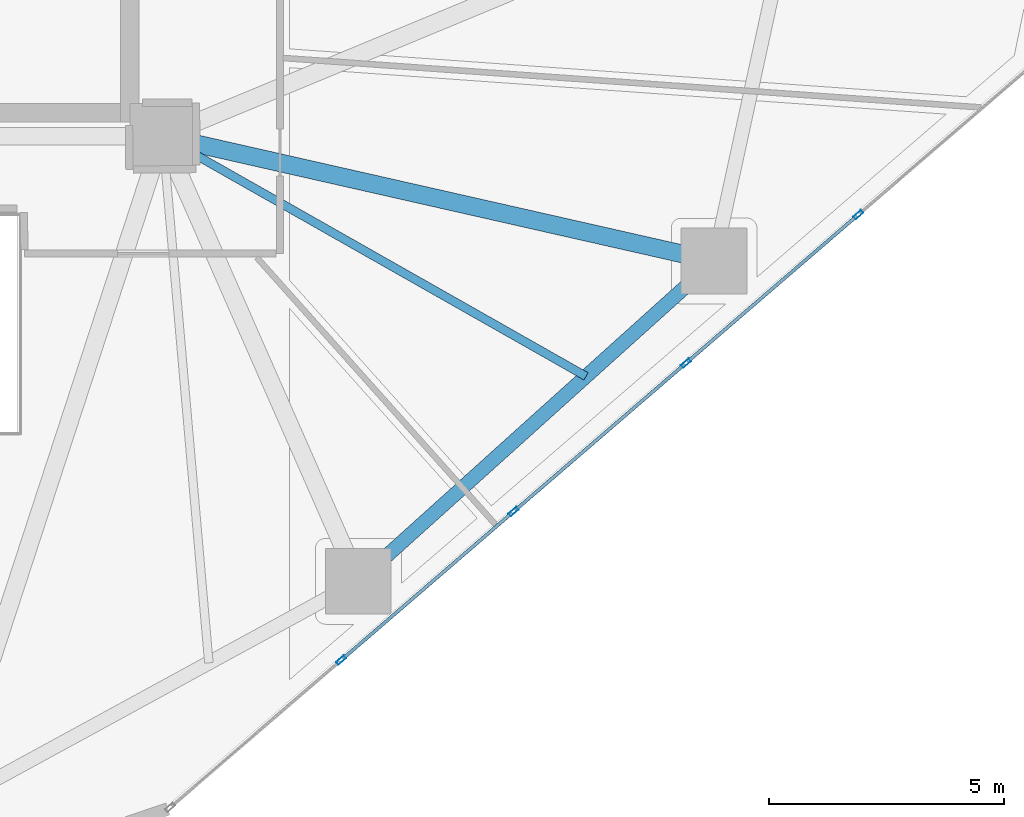
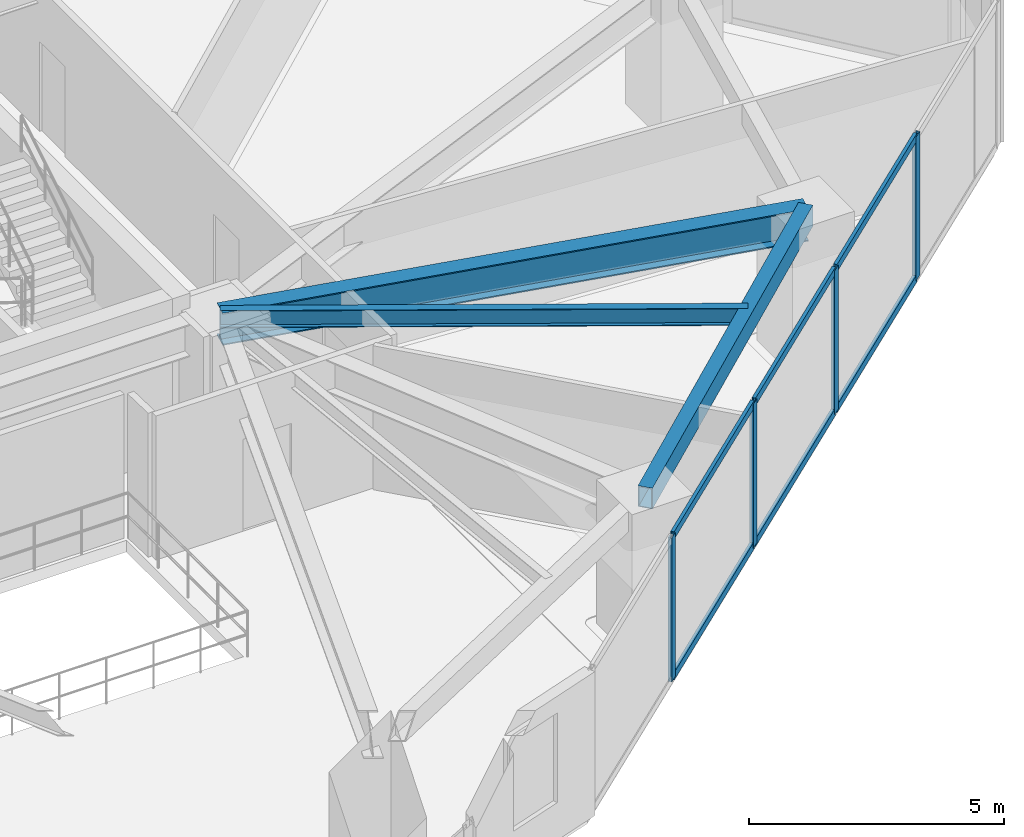
# One storey, part 10 of 24: 10 members, 3 beams, 1 element without a shape of its own.
"""IFC4 building model written with IfcOpenShell, lengths in metres."""

import ifcopenshell
import ifcopenshell.guid

model = None  # the IFC model being written
_history = None  # IfcOwnerHistory: only IFC2X3 demands one
_inside = {}  # id of a spatial element -> (the spatial element, [elements in it])
_under = {}  # id of a project, library or spatial element -> (it, [spatial elements below it])
_declared = {}  # id of a project -> (the project, [libraries it declares])
_typed = {}  # id of a type object -> (the type object, [elements of that type])
_made_of = {}  # id of a material, layer set ... -> (it, [elements and type objects made of it])


def new_model(schema):
    """Start an empty IFC model of exactly this schema.

    Asked for "IFC4X3", IfcOpenShell would pick the latest addendum, in which some entities
    have other attributes; the version numbers below select the first issue.
    IFC2X3 requires an IfcOwnerHistory on every rooted entity: one is made here for all.
    """
    global model, _history
    if schema == "IFC4X3":
        model = ifcopenshell.file(schema_version=(4, 3, 0, 0))
    else:
        model = ifcopenshell.file(schema=schema)
    _inside.clear()
    _under.clear()
    _declared.clear()
    _typed.clear()
    _made_of.clear()
    _history = None
    if model.schema == "IFC2X3":
        org = make("IfcOrganization", Name="unknown")
        user = make(
            "IfcPersonAndOrganization",
            ThePerson=make("IfcPerson", FamilyName="unknown"),
            TheOrganization=org,
        )
        app = make(
            "IfcApplication",
            ApplicationDeveloper=org,
            Version="unknown",
            ApplicationFullName="unknown",
            ApplicationIdentifier="unknown",
        )
        _history = make(
            "IfcOwnerHistory",
            OwningUser=user,
            OwningApplication=app,
            ChangeAction="ADDED",
            CreationDate=0,
        )
    return model


def make(cls, **values):
    """One entity of the class cls with the attributes given. An attribute that is None is left unset."""
    return model.create_entity(
        cls, **{name: value for name, value in values.items() if value is not None}
    )


def rooted(cls, **values):
    """An entity with a GlobalId (a new one), such as an element, a storey or a relation."""
    return make(cls, GlobalId=ifcopenshell.guid.new(), OwnerHistory=_history, **values)


def si_unit(unit_type, name, prefix=None):
    """IfcSIUnit, for example si_unit("LENGTHUNIT", "METRE", prefix="MILLI")."""
    return make("IfcSIUnit", UnitType=unit_type, Prefix=prefix, Name=name)


def assignment(units):
    """IfcUnitAssignment: the units of a project."""
    return None if units is None else make("IfcUnitAssignment", Units=units)


def point(xyz):
    """IfcCartesianPoint."""
    return None if xyz is None else make("IfcCartesianPoint", Coordinates=xyz)


def direction(xyz):
    """IfcDirection."""
    return None if xyz is None else make("IfcDirection", DirectionRatios=xyz)


def frame(location, z_axis=None, x_axis=None):
    """IfcAxis2Placement3D, a coordinate frame: its origin and axes. An axis left out is left unset."""
    return make(
        "IfcAxis2Placement3D",
        Location=point(location),
        Axis=direction(z_axis),
        RefDirection=direction(x_axis),
    )


def frame_2d(location, x_axis=None):
    """IfcAxis2Placement2D, a coordinate frame in the plane: its origin and x axis."""
    return make(
        "IfcAxis2Placement2D", Location=point(location), RefDirection=direction(x_axis)
    )


def origin():
    """The frame at (0, 0, 0) with its axes left unset."""
    return frame((0.0, 0.0, 0.0))


def origin_2d():
    """The frame at (0, 0) in the plane with its x axis left unset."""
    return frame_2d((0.0, 0.0))


def place(relative_to, where):
    """IfcLocalPlacement: puts the frame where relative to a parent placement (None: the world)."""
    return make(
        "IfcLocalPlacement", PlacementRelTo=relative_to, RelativePlacement=where
    )


def context(
    kind, dimensions, precision=None, world=None, true_north=None, identifier=None
):
    """IfcGeometricRepresentationContext, for example the 3D "Model" context."""
    return make(
        "IfcGeometricRepresentationContext",
        ContextIdentifier=identifier,
        ContextType=kind,
        CoordinateSpaceDimension=dimensions,
        Precision=precision,
        WorldCoordinateSystem=world,
        TrueNorth=true_north,
    )


def subcontext(parent, identifier, kind, view, scale=None):
    """IfcGeometricRepresentationSubContext, for example "Body" below "Model"."""
    return make(
        "IfcGeometricRepresentationSubContext",
        ContextIdentifier=identifier,
        ContextType=kind,
        ParentContext=parent,
        TargetScale=scale,
        TargetView=view,
    )


def project(units=None, contexts=None):
    """IfcProject with its units and contexts."""
    return rooted(
        "IfcProject",
        Name="project",
        RepresentationContexts=contexts,
        UnitsInContext=assignment(units),
    )


def spatial(cls, under=None, at=None, **own):
    """A site, building, storey or space (cls), placed at a placement, below another one or the project."""
    s = rooted(cls, ObjectPlacement=at, **own)
    if under is not None:
        _under.setdefault(under.id(), (under, []))[1].append(s)
    return s


def profile(cls, at=None, kind="AREA", **sizes):
    """A parametric profile (cls). Its sizes go by their IFC names, for example OverallWidth=200.0."""
    return make(cls, ProfileType=kind, Position=at, **sizes)


def hollow_rectangle(**sizes):
    """IfcRectangleHollowProfileDef."""
    return profile("IfcRectangleHollowProfileDef", **sizes)


def i_section(**sizes):
    """IfcIShapeProfileDef."""
    return profile("IfcIShapeProfileDef", **sizes)


def extrude(swept, where, along, depth):
    """IfcExtrudedAreaSolid: the profile swept, set in the frame where, extruded along a direction by depth."""
    return make(
        "IfcExtrudedAreaSolid",
        SweptArea=swept,
        Position=where,
        ExtrudedDirection=direction(along),
        Depth=depth,
    )


def shape(context_of_items, identifier, shape_type, items):
    """IfcShapeRepresentation: the items that make up one representation, for example the "Body"."""
    return make(
        "IfcShapeRepresentation",
        ContextOfItems=context_of_items,
        RepresentationIdentifier=identifier,
        RepresentationType=shape_type,
        Items=items,
    )


def source(mapping_origin, context_of_items, identifier, shape_type, items):
    """IfcRepresentationMap: a shape defined once, which mapped items show again and again."""
    return make(
        "IfcRepresentationMap",
        MappingOrigin=mapping_origin,
        MappedRepresentation=shape(context_of_items, identifier, shape_type, items),
    )


def transform(
    local_origin,
    x_axis=None,
    y_axis=None,
    z_axis=None,
    scale=None,
    scale2=None,
    scale3=None,
    uniform=True,
):
    """IfcCartesianTransformationOperator3D, or its non-uniform kind. x_axis, y_axis, z_axis: its Axis1, 2, 3."""
    if uniform:
        return make(
            "IfcCartesianTransformationOperator3D",
            Axis1=direction(x_axis),
            Axis2=direction(y_axis),
            LocalOrigin=point(local_origin),
            Scale=scale,
            Axis3=direction(z_axis),
        )
    return make(
        "IfcCartesianTransformationOperator3DnonUniform",
        Axis1=direction(x_axis),
        Axis2=direction(y_axis),
        LocalOrigin=point(local_origin),
        Scale=scale,
        Axis3=direction(z_axis),
        Scale2=scale2,
        Scale3=scale3,
    )


def mapped(mapping_source, mapping_target):
    """IfcMappedItem: shows the shape of a source again, moved by a transform."""
    return make(
        "IfcMappedItem", MappingSource=mapping_source, MappingTarget=mapping_target
    )


def material(Name=None, Category=None):
    """IfcMaterial."""
    return make("IfcMaterial", Name=Name, Category=Category)


def layer(
    of_material, thickness, ventilated=None, Name=None, Category=None, Priority=None
):
    """IfcMaterialLayer: one layer of a wall or slab, of a material (None: an air gap)."""
    return make(
        "IfcMaterialLayer",
        Material=of_material,
        LayerThickness=thickness,
        IsVentilated=ventilated,
        Name=Name,
        Category=Category,
        Priority=Priority,
    )


def layer_set(layers, Name=None):
    """IfcMaterialLayerSet."""
    return make("IfcMaterialLayerSet", MaterialLayers=layers, LayerSetName=Name)


def material_profile(
    of_material, cross_section, Name=None, Category=None, Priority=None
):
    """IfcMaterialProfile: a cross section and its material."""
    return make(
        "IfcMaterialProfile",
        Name=Name,
        Material=of_material,
        Profile=cross_section,
        Priority=Priority,
        Category=Category,
    )


def profile_set(profiles, Name=None, composite=None):
    """IfcMaterialProfileSet."""
    return make(
        "IfcMaterialProfileSet",
        Name=Name,
        MaterialProfiles=profiles,
        CompositeProfile=composite,
    )


def made_of(thing, what):
    """Note that an element or type object is made of a material, layer set ...; save() writes the relation."""
    if what is not None:
        _made_of.setdefault(what.id(), (what, []))[1].append(thing)
    return thing


def type_object(cls, material=None, **own):
    """A type object (cls), such as IfcWallType, which elements share."""
    return made_of(rooted(cls, **own), material)


def type_shapes(of_type, sources):
    """Give a type object the sources (RepresentationMaps) that its elements show as mapped items."""
    of_type.RepresentationMaps = sources


def element(
    cls,
    number,
    at=None,
    inside=None,
    cuts=None,
    type_object=None,
    material=None,
    context=None,
    identifier="Body",
    shape_type=None,
    held_by="IfcProductDefinitionShape",
    body=None,
    shapes=None,
    **own,
):
    """One element of the class cls, such as IfcWall. Its Tag is "e" and its number.

    at: its placement. inside: the storey or other place that contains it. cuts: it is an
    opening in that element (IfcRelVoidsElement). A single representation is given by context,
    identifier, shape_type and body (its items); several are given by shapes. held_by: the class
    of the entity that holds the representations. save() writes the other relations.
    """
    e = rooted(cls, Tag="e%d" % number, ObjectPlacement=at, **own)
    if body is not None:
        shapes = [shape(context, identifier, shape_type, body)]
    if shapes is not None:
        e.Representation = make(held_by, Representations=shapes)
    if inside is not None:
        _inside.setdefault(inside.id(), (inside, []))[1].append(e)
    if cuts is not None:
        rooted(
            "IfcRelVoidsElement", RelatingBuildingElement=cuts, RelatedOpeningElement=e
        )
    if type_object is not None:
        _typed.setdefault(type_object.id(), (type_object, []))[1].append(e)
    return made_of(e, material)


def aggregate(whole, parts):
    """IfcRelAggregates: a whole, such as a stair, and the parts it consists of."""
    return rooted("IfcRelAggregates", RelatingObject=whole, RelatedObjects=parts)


def save(model, path):
    """Write the relations noted so far, then the file.

    IfcRelAggregates (storeys below a building ...), IfcRelContainedInSpatialStructure (elements
    in a storey), IfcRelDefinesByType, IfcRelAssociatesMaterial and IfcRelDeclares: one each for
    every whole, place, type object, material and project.
    """
    for whole, parts in _under.values():
        aggregate(whole, parts)
    for where, things in _inside.values():
        rooted(
            "IfcRelContainedInSpatialStructure",
            RelatedElements=things,
            RelatingStructure=where,
        )
    for kind, things in _typed.values():
        rooted("IfcRelDefinesByType", RelatedObjects=things, RelatingType=kind)
    for what, things in _made_of.values():
        rooted("IfcRelAssociatesMaterial", RelatedObjects=things, RelatingMaterial=what)
    for by, libraries in _declared.values():
        rooted("IfcRelDeclares", RelatingContext=by, RelatedDefinitions=libraries)
    model.write(path)


model = new_model("IFC4")

# Units and contexts
model_context = context("Model", 3, precision=1e-05, world=origin(), true_north=direction((0.0, 1.0)))
body_context = subcontext(model_context, "Body", "Model", "MODEL_VIEW")
ifc_project = project(units=[si_unit("LENGTHUNIT", "METRE"), si_unit("AREAUNIT", "SQUARE_METRE"), si_unit("VOLUMEUNIT", "CUBIC_METRE"), si_unit("PLANEANGLEUNIT", "RADIAN"), si_unit("MASSUNIT", "GRAM", prefix="KILO")], contexts=[model_context])

# Site, building, storey
site_placement = place(None, origin())
site = spatial("IfcSite", under=ifc_project, at=site_placement, CompositionType="ELEMENT")
building_placement = place(site_placement, origin())
building = spatial("IfcBuilding", under=site, at=building_placement, Name="Talar Marvaseh", CompositionType="ELEMENT")
storey_placement = place(building_placement, frame((0.0, 0.0, 81.0)))
storey = spatial("IfcBuildingStorey", under=building, at=storey_placement, Name="L20", CompositionType="ELEMENT", Elevation=81.0)

# Beams
ifc_material_1 = material(Name="Steel S355", Category="steel")
ifc_material_profile_1 = material_profile(ifc_material_1, hollow_rectangle(XDim=0.300048828125, YDim=0.5, WallThickness=0.02001953125, at=origin_2d()), Name="RHS500x300x20")
ifc_profile_set_1 = profile_set([ifc_material_profile_1], Name="Steel S355")
beam_type_1 = type_object("IfcBeamType", Name="Zone 1 Perimeter Spandrel Beam RHS500x300x20", PredefinedType="SPANDREL", material=ifc_profile_set_1)
beam_1_placement = place(storey_placement, frame((45.0439453125, 22.840087890625, 3.199951171875), z_axis=(-0.743257224494, -0.669005753516, 0.0), x_axis=(0.669005753516, -0.743257224494, 0.0)))
element("IfcBeam", 1, at=beam_1_placement, inside=storey, type_object=beam_type_1, Name="L20 Zone 1 Perimeter Spandrel Beam RHS500x300x20", PredefinedType="SPANDREL", context=body_context, shape_type="SweptSolid", body=[
    extrude(hollow_rectangle(XDim=0.300048828125, YDim=0.5, WallThickness=0.02001953125, at=origin_2d()), origin(), (0.0, 0.0, 1.0), 10.19287109375),
])
ifc_material_profile_2 = material_profile(ifc_material_1, i_section(OverallWidth=0.381103515625, OverallDepth=0.77294921875, WebThickness=0.0166015625, FlangeThickness=0.027099609375, at=origin_2d()), Name="W760x257")
ifc_profile_set_2 = profile_set([ifc_material_profile_2], Name="Steel S355")
beam_type_2 = type_object("IfcBeamType", Name="Zone 1 Radial Floor Girder W760x257", PredefinedType="BEAM", material=ifc_profile_set_2)
beam_2_placement = place(storey_placement, frame((45.0439453125, 22.840087890625, 3.0634765625), z_axis=(-0.975296900374, 0.220898067263, 0.0), x_axis=(-0.220898067263, -0.975296900374, 0.0)))
element("IfcBeam", 2, at=beam_2_placement, inside=storey, type_object=beam_type_2, Name="L20 Zone 1 Radial Floor Girder W760x257", PredefinedType="BEAM", context=body_context, shape_type="SweptSolid", body=[
    extrude(i_section(OverallWidth=0.381103515625, OverallDepth=0.77294921875, WebThickness=0.0166015625, FlangeThickness=0.027099609375, at=origin_2d()), origin(), (0.0, 0.0, 1.0), 12.041259765625),
])
ifc_material_profile_3 = material_profile(ifc_material_1, i_section(OverallWidth=0.179931640625, OverallDepth=0.4130859375, WebThickness=0.009765625, FlangeThickness=0.01611328125, at=origin_2d()), Name="W410x75")
ifc_profile_set_3 = profile_set([ifc_material_profile_3], Name="Steel S355")
beam_type_3 = type_object("IfcBeamType", Name="Zone 1 Secondary Floor Joist W410x75", PredefinedType="JOIST", material=ifc_profile_set_3)
beam_3_placement = place(storey_placement, frame((42.316650390625, 20.38525390625, 3.243408203125), z_axis=(-0.869801202402, 0.493402339172, 0.0), x_axis=(-0.493402339172, -0.869801202402, 0.0)))
element("IfcBeam", 3, at=beam_3_placement, inside=storey, type_object=beam_type_3, Name="L20 Zone 1 Secondary Floor Joist W410x75", PredefinedType="JOIST", context=body_context, shape_type="SweptSolid", body=[
    extrude(i_section(OverallWidth=0.179931640625, OverallDepth=0.4130859375, WebThickness=0.009765625, FlangeThickness=0.01611328125, at=origin_2d()), origin(), (0.0, 0.0, 1.0), 10.3662109375),
])

# Curtain wall, members
ifc_material_2 = material(Name="Architectural Aluminium", Category="aluminium")
ifc_layer = layer(ifc_material_2, 0.219970703125)
ifc_layer_set = layer_set([ifc_layer], Name="Architectural Aluminium")
curtain_wall_type = type_object("IfcCurtainWallType", Name="Unitised Low-E Museum Curtain Wall Z1", PredefinedType="NOTDEFINED", material=ifc_layer_set)
curtain_wall_placement = place(storey_placement, origin())
curtain_wall = element("IfcCurtainWall", 4, at=curtain_wall_placement, inside=storey, type_object=curtain_wall_type, Name="L20 Unitised Low-E Museum Curtain Wall Z1", PredefinedType="NOTDEFINED")
ifc_material_profile_4 = material_profile(ifc_material_2, hollow_rectangle(XDim=0.074951171875, YDim=0.179931640625, WallThickness=0.0048828125, at=origin_2d()), Name="RHS180x75x5")
ifc_profile_set_4 = profile_set([ifc_material_profile_4], Name="Architectural Aluminium")
member_type_1 = type_object("IfcMemberType", Name="Unitised Curtain Wall Transom RHS180x75x5", PredefinedType="USERDEFINED", material=ifc_profile_set_4)
shared_shape_1 = source(origin(), body_context, "Body", "SweptSolid", [
    extrude(hollow_rectangle(XDim=0.074951171875, YDim=0.179931640625, WallThickness=0.0048828125, at=origin_2d()), origin(), (0.0, 0.0, 1.0), 4.765380859375),
])
type_shapes(member_type_1, [shared_shape_1])
member_1_placement = place(storey_placement, frame((48.084716796875, 23.8037109375, 0.03759765625), z_axis=(-0.757666760816, -0.652641616474, 0.0), x_axis=(0.652641616474, -0.757666760816, 0.0)))
member_1 = element("IfcMember", 5, at=member_1_placement, type_object=member_type_1, Name="CW-Z1 transom 2.1", ObjectType="TRANSOM", PredefinedType="USERDEFINED", context=body_context, shape_type="MappedRepresentation", body=[
    mapped(shared_shape_1, transform((0.0, 0.0, 0.0), x_axis=(1.0, 0.0, 0.0), y_axis=(0.0, 1.0, 0.0), z_axis=(0.0, 0.0, 1.0), scale=1.0)),
])
member_2_placement = place(storey_placement, frame((48.084716796875, 23.8037109375, 3.41259765625), z_axis=(-0.757666760816, -0.652641616474, 0.0), x_axis=(0.652641616474, -0.757666760816, 0.0)))
member_2 = element("IfcMember", 6, at=member_2_placement, type_object=member_type_1, Name="CW-Z1 transom 2.2", ObjectType="TRANSOM", PredefinedType="USERDEFINED", context=body_context, shape_type="MappedRepresentation", body=[
    mapped(shared_shape_1, transform((0.0, 0.0, 0.0), x_axis=(1.0, 0.0, 0.0), y_axis=(0.0, 1.0, 0.0), z_axis=(0.0, 0.0, 1.0), scale=1.0)),
])
member_3_placement = place(storey_placement, frame((44.41357421875, 20.641357421875, 0.03759765625), z_axis=(-0.757666760816, -0.652641616474, 0.0), x_axis=(0.652641616474, -0.757666760816, 0.0)))
member_3 = element("IfcMember", 7, at=member_3_placement, type_object=member_type_1, Name="CW-Z1 transom 3.1", ObjectType="TRANSOM", PredefinedType="USERDEFINED", context=body_context, shape_type="MappedRepresentation", body=[
    mapped(shared_shape_1, transform((0.0, 0.0, 0.0), x_axis=(1.0, 0.0, 0.0), y_axis=(0.0, 1.0, 0.0), z_axis=(0.0, 0.0, 1.0), scale=1.0)),
])
member_4_placement = place(storey_placement, frame((44.41357421875, 20.641357421875, 3.41259765625), z_axis=(-0.757666760816, -0.652641616474, 0.0), x_axis=(0.652641616474, -0.757666760816, 0.0)))
member_4 = element("IfcMember", 8, at=member_4_placement, type_object=member_type_1, Name="CW-Z1 transom 3.2", ObjectType="TRANSOM", PredefinedType="USERDEFINED", context=body_context, shape_type="MappedRepresentation", body=[
    mapped(shared_shape_1, transform((0.0, 0.0, 0.0), x_axis=(1.0, 0.0, 0.0), y_axis=(0.0, 1.0, 0.0), z_axis=(0.0, 0.0, 1.0), scale=1.0)),
])
member_5_placement = place(storey_placement, frame((40.742431640625, 17.479248046875, 0.03759765625), z_axis=(-0.757666760816, -0.652641616474, 0.0), x_axis=(0.652641616474, -0.757666760816, 0.0)))
member_5 = element("IfcMember", 9, at=member_5_placement, type_object=member_type_1, Name="CW-Z1 transom 4.1", ObjectType="TRANSOM", PredefinedType="USERDEFINED", context=body_context, shape_type="MappedRepresentation", body=[
    mapped(shared_shape_1, transform((0.0, 0.0, 0.0), x_axis=(1.0, 0.0, 0.0), y_axis=(0.0, 1.0, 0.0), z_axis=(0.0, 0.0, 1.0), scale=1.0)),
])
member_6_placement = place(storey_placement, frame((40.742431640625, 17.479248046875, 3.41259765625), z_axis=(-0.757666760816, -0.652641616474, 0.0), x_axis=(0.652641616474, -0.757666760816, 0.0)))
member_6 = element("IfcMember", 10, at=member_6_placement, type_object=member_type_1, Name="CW-Z1 transom 4.2", ObjectType="TRANSOM", PredefinedType="USERDEFINED", context=body_context, shape_type="MappedRepresentation", body=[
    mapped(shared_shape_1, transform((0.0, 0.0, 0.0), x_axis=(1.0, 0.0, 0.0), y_axis=(0.0, 1.0, 0.0), z_axis=(0.0, 0.0, 1.0), scale=1.0)),
])
ifc_material_profile_5 = material_profile(ifc_material_2, hollow_rectangle(XDim=0.080078125, YDim=0.219970703125, WallThickness=0.0048828125, at=origin_2d()), Name="RHS220x80x5")
ifc_profile_set_5 = profile_set([ifc_material_profile_5], Name="Architectural Aluminium")
member_type_2 = type_object("IfcMemberType", Name="Unitised Curtain Wall Heavy Mullion RHS220x80x5", PredefinedType="MULLION", material=ifc_profile_set_5)
shared_shape_2 = source(origin(), body_context, "Body", "SweptSolid", [
    extrude(hollow_rectangle(XDim=0.080078125, YDim=0.219970703125, WallThickness=0.0048828125, at=origin_2d()), origin(), (0.0, 0.0, 1.0), 3.449951171875),
])
type_shapes(member_type_2, [shared_shape_2])
member_7_placement = place(storey_placement, frame((48.114990234375, 23.829833984375, 0.0), z_axis=(0.0, 0.0, 1.0), x_axis=(0.652644071563, -0.757664646036, 0.0)))
member_7 = element("IfcMember", 11, at=member_7_placement, type_object=member_type_2, Name="CW-Z1 mullion 2", PredefinedType="MULLION", context=body_context, shape_type="MappedRepresentation", body=[
    mapped(shared_shape_2, transform((0.0, 0.0, 0.0), x_axis=(1.0, 0.0, 0.0), y_axis=(0.0, 1.0, 0.0), z_axis=(0.0, 0.0, 1.0), scale=1.0)),
])
member_8_placement = place(storey_placement, frame((44.44384765625, 20.66748046875, 0.0), z_axis=(0.0, 0.0, 1.0), x_axis=(0.652644071563, -0.757664646036, 0.0)))
member_8 = element("IfcMember", 12, at=member_8_placement, type_object=member_type_2, Name="CW-Z1 mullion 3", PredefinedType="MULLION", context=body_context, shape_type="MappedRepresentation", body=[
    mapped(shared_shape_2, transform((0.0, 0.0, 0.0), x_axis=(1.0, 0.0, 0.0), y_axis=(0.0, 1.0, 0.0), z_axis=(0.0, 0.0, 1.0), scale=1.0)),
])
member_9_placement = place(storey_placement, frame((40.772705078125, 17.50537109375, 0.0), z_axis=(0.0, 0.0, 1.0), x_axis=(0.652644071563, -0.757664646036, 0.0)))
member_9 = element("IfcMember", 13, at=member_9_placement, type_object=member_type_2, Name="CW-Z1 mullion 4", PredefinedType="MULLION", context=body_context, shape_type="MappedRepresentation", body=[
    mapped(shared_shape_2, transform((0.0, 0.0, 0.0), x_axis=(1.0, 0.0, 0.0), y_axis=(0.0, 1.0, 0.0), z_axis=(0.0, 0.0, 1.0), scale=1.0)),
])
member_10_placement = place(storey_placement, frame((37.1015625, 14.343017578125, 0.0), z_axis=(0.0, 0.0, 1.0), x_axis=(0.652644071563, -0.757664646036, 0.0)))
member_10 = element("IfcMember", 14, at=member_10_placement, type_object=member_type_2, Name="CW-Z1 mullion 5", PredefinedType="MULLION", context=body_context, shape_type="MappedRepresentation", body=[
    mapped(shared_shape_2, transform((0.0, 0.0, 0.0), x_axis=(1.0, 0.0, 0.0), y_axis=(0.0, 1.0, 0.0), z_axis=(0.0, 0.0, 1.0), scale=1.0)),
])
aggregate(curtain_wall, [member_7, member_8, member_9, member_10, member_1, member_2, member_3, member_4, member_5, member_6])

save(model, "model.ifc")
